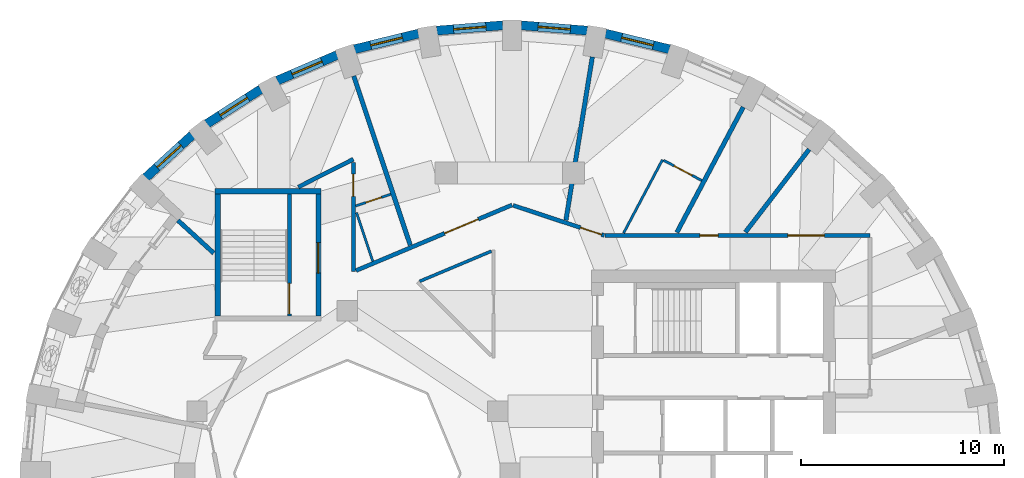
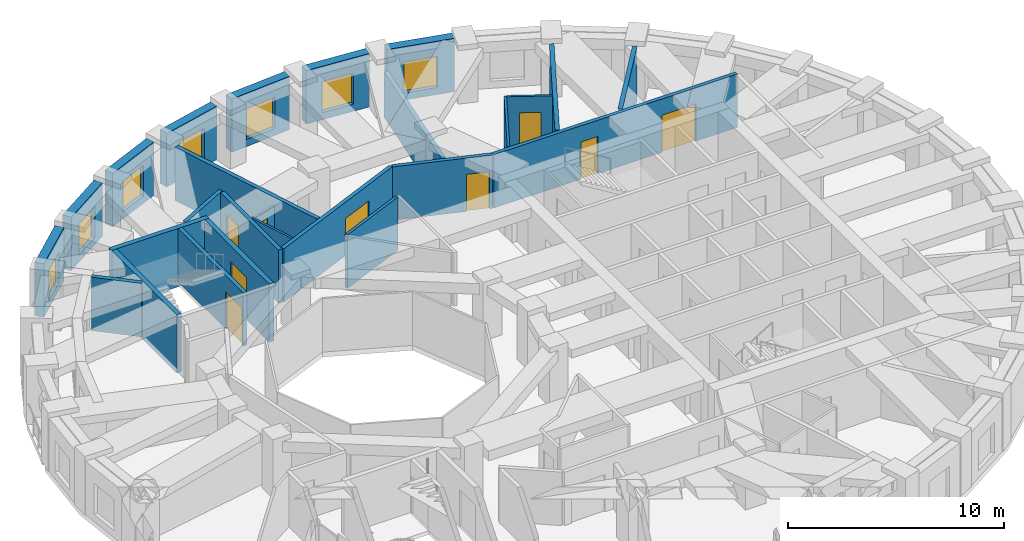
# One storey, part 7 of 11: 26 walls, 9 doors, 7 windows, 16 openings.
"""IFC4 building model written with IfcOpenShell, lengths in metres."""

from ifc_helpers import new_model, si_unit, direction, frame, frame_2d, origin, place, context, subcontext, project, spatial, rectangle, extrude, material, layer, layer_set, type_object, element, fill, save


model = new_model("IFC4")

# Units and contexts
model_context = context("Model", 3, precision=1e-05, world=origin(), true_north=direction((0.0, 1.0)))
body_context = subcontext(model_context, "Body", "Model", "MODEL_VIEW")
ifc_project = project(units=[si_unit("LENGTHUNIT", "METRE"), si_unit("AREAUNIT", "SQUARE_METRE"), si_unit("VOLUMEUNIT", "CUBIC_METRE"), si_unit("PLANEANGLEUNIT", "RADIAN"), si_unit("MASSUNIT", "GRAM", prefix="KILO")], contexts=[model_context])

# Site, building, storey
site_placement = place(None, origin())
site = spatial("IfcSite", under=ifc_project, at=site_placement, CompositionType="ELEMENT")
building_placement = place(site_placement, origin())
building = spatial("IfcBuilding", under=site, at=building_placement, Name="Taillehof Tower", CompositionType="ELEMENT")
storey_placement = place(building_placement, frame((0.0, 0.0, 155.0)))
storey = spatial("IfcBuildingStorey", under=building, at=storey_placement, Name="L43", CompositionType="ELEMENT", Elevation=155.0)

# Wall, opening, window
ifc_material_1 = material(Name="Brick masonry", Category="masonry")
ifc_layer_1 = layer(ifc_material_1, 0.449951171875)
ifc_layer_set_1 = layer_set([ifc_layer_1], Name="Brick infill wall 450")
wall_type_1 = type_object("IfcWallType", Name="Brick infill wall 450", PredefinedType="SOLIDWALL", material=ifc_layer_set_1)
wall_1_placement = place(storey_placement, frame((7.843017578125, 20.8623046875, 0.0), z_axis=(0.0, 0.0, 1.0), x_axis=(-0.971237178372, 0.238114139328, 0.0)))
wall_1 = element("IfcWall", 1, at=wall_1_placement, inside=storey, type_object=wall_type_1, Name="Brick wall L43 bay 8", PredefinedType="SOLIDWALL", context=body_context, shape_type="SweptSolid", body=[
    extrude(rectangle(XDim=3.23681640625, YDim=0.449951171875, at=frame_2d((1.618408203125, 0.0))), origin(), (0.0, 0.0, 1.0), 3.02001953125),
])
opening_1_placement = place(wall_1_placement, frame((0.818359375, 0.0, 0.39990234375)))
opening_1 = element("IfcOpeningElement", 2, at=opening_1_placement, cuts=wall_1, Name="Opening W3", PredefinedType="OPENING", context=body_context, shape_type="SweptSolid", body=[
    extrude(rectangle(XDim=1.60009765625, YDim=1.75, at=frame_2d((0.800048828125, 0.875))), frame((0.0, 0.23486328125, 0.0), z_axis=(0.0, -1.0, 0.0), x_axis=(1.0, 0.0, 0.0)), (0.0, 0.0, 1.0), 0.469970703125),
])
ifc_material_2 = material(Name="Aluminium window frame with clear double glazing", Category="aluminium")
window_type = type_object("IfcWindowType", Name="Deep-set window 1600x1750", PartitioningType="SINGLE_PANEL", PredefinedType="WINDOW", material=ifc_material_2)
window_1_placement = place(opening_1_placement, origin())
window_1 = element("IfcWindow", 3, at=window_1_placement, inside=storey, type_object=window_type, Name="W3", OverallHeight=1.75, OverallWidth=1.60009765625, PartitioningType="SINGLE_PANEL", PredefinedType="WINDOW", context=body_context, shape_type="SweptSolid", body=[
    extrude(rectangle(XDim=1.60009765625, YDim=1.75, at=frame_2d((0.800048828125, 0.875))), frame((0.0, 0.034912109375, 0.0), z_axis=(0.0, -1.0, 0.0), x_axis=(1.0, 0.0, 0.0)), (0.0, 0.0, 1.0), 0.06005859375),
])
fill(opening_1, window_1)

wall_2_placement = place(storey_placement, frame((3.80078125, 21.778076171875, 0.0), z_axis=(0.0, 0.0, 1.0), x_axis=(-0.996812416891, 0.079780984773, 0.0)))
wall_2 = element("IfcWall", 4, at=wall_2_placement, inside=storey, type_object=wall_type_1, Name="Brick wall L43 bay 9", PredefinedType="SOLIDWALL", context=body_context, shape_type="SweptSolid", body=[
    extrude(rectangle(XDim=3.256103515625, YDim=0.449951171875, at=frame_2d((1.6279296875, 0.0))), origin(), (0.0, 0.0, 1.0), 3.02001953125),
])
opening_2_placement = place(wall_2_placement, frame((0.827880859375, 0.0, 0.39990234375)))
opening_2 = element("IfcOpeningElement", 5, at=opening_2_placement, cuts=wall_2, Name="Opening W3", PredefinedType="OPENING", context=body_context, shape_type="SweptSolid", body=[
    extrude(rectangle(XDim=1.60009765625, YDim=1.75, at=frame_2d((0.800048828125, 0.875))), frame((0.0, 0.23486328125, 0.0), z_axis=(0.0, -1.0, 0.0), x_axis=(1.0, 0.0, 0.0)), (0.0, 0.0, 1.0), 0.469970703125),
])
window_2_placement = place(opening_2_placement, origin())
window_2 = element("IfcWindow", 6, at=window_2_placement, inside=storey, type_object=window_type, Name="W3", OverallHeight=1.75, OverallWidth=1.60009765625, PartitioningType="SINGLE_PANEL", PredefinedType="WINDOW", context=body_context, shape_type="SweptSolid", body=[
    extrude(rectangle(XDim=1.60009765625, YDim=1.75, at=frame_2d((0.800048828125, 0.875))), frame((0.0, 0.034912109375, 0.0), z_axis=(0.0, -1.0, 0.0), x_axis=(1.0, 0.0, 0.0)), (0.0, 0.0, 1.0), 0.06005859375),
])
fill(opening_2, window_2)

wall_3_placement = place(storey_placement, frame((-0.35498046875, 22.037841796875, 0.0), z_axis=(0.0, 0.0, 1.0), x_axis=(-0.996812416891, -0.079780984773, 0.0)))
wall_3 = element("IfcWall", 7, at=wall_3_placement, inside=storey, type_object=wall_type_1, Name="Brick wall L43 bay 10", PredefinedType="SOLIDWALL", context=body_context, shape_type="SweptSolid", body=[
    extrude(rectangle(XDim=3.256103515625, YDim=0.449951171875, at=frame_2d((1.6279296875, 0.0))), origin(), (0.0, 0.0, 1.0), 3.02001953125),
])
opening_3_placement = place(wall_3_placement, frame((0.827880859375, 0.0, 0.39990234375)))
opening_3 = element("IfcOpeningElement", 8, at=opening_3_placement, cuts=wall_3, Name="Opening W3", PredefinedType="OPENING", context=body_context, shape_type="SweptSolid", body=[
    extrude(rectangle(XDim=1.60009765625, YDim=1.75, at=frame_2d((0.800048828125, 0.875))), frame((0.0, 0.23486328125, 0.0), z_axis=(0.0, -1.0, 0.0), x_axis=(1.0, 0.0, 0.0)), (0.0, 0.0, 1.0), 0.469970703125),
])
window_3_placement = place(opening_3_placement, origin())
window_3 = element("IfcWindow", 9, at=window_3_placement, inside=storey, type_object=window_type, Name="W3", OverallHeight=1.75, OverallWidth=1.60009765625, PartitioningType="SINGLE_PANEL", PredefinedType="WINDOW", context=body_context, shape_type="SweptSolid", body=[
    extrude(rectangle(XDim=1.60009765625, YDim=1.75, at=frame_2d((0.800048828125, 0.875))), frame((0.0, 0.034912109375, 0.0), z_axis=(0.0, -1.0, 0.0), x_axis=(1.0, 0.0, 0.0)), (0.0, 0.0, 1.0), 0.06005859375),
])
fill(opening_3, window_3)

wall_4_placement = place(storey_placement, frame((-4.499267578125, 21.633056640625, 0.0), z_axis=(0.0, 0.0, 1.0), x_axis=(-0.971232901476, -0.238131583563, 0.0)))
wall_4 = element("IfcWall", 10, at=wall_4_placement, inside=storey, type_object=wall_type_1, Name="Brick wall L43 bay 11", PredefinedType="SOLIDWALL", context=body_context, shape_type="SweptSolid", body=[
    extrude(rectangle(XDim=3.236572265625, YDim=0.449951171875, at=frame_2d((1.6181640625, 0.0))), origin(), (0.0, 0.0, 1.0), 3.02001953125),
])
opening_4_placement = place(wall_4_placement, frame((0.818359375, 0.0, 0.39990234375)))
opening_4 = element("IfcOpeningElement", 11, at=opening_4_placement, cuts=wall_4, Name="Opening W3", PredefinedType="OPENING", context=body_context, shape_type="SweptSolid", body=[
    extrude(rectangle(XDim=1.60009765625, YDim=1.75, at=frame_2d((0.800048828125, 0.875))), frame((0.0, 0.23486328125, 0.0), z_axis=(0.0, -1.0, 0.0), x_axis=(1.0, 0.0, 0.0)), (0.0, 0.0, 1.0), 0.469970703125),
])
window_4_placement = place(opening_4_placement, origin())
window_4 = element("IfcWindow", 12, at=window_4_placement, inside=storey, type_object=window_type, Name="W3", OverallHeight=1.75, OverallWidth=1.60009765625, PartitioningType="SINGLE_PANEL", PredefinedType="WINDOW", context=body_context, shape_type="SweptSolid", body=[
    extrude(rectangle(XDim=1.60009765625, YDim=1.75, at=frame_2d((0.800048828125, 0.875))), frame((0.0, 0.034912109375, 0.0), z_axis=(0.0, -1.0, 0.0), x_axis=(1.0, 0.0, 0.0)), (0.0, 0.0, 1.0), 0.06005859375),
])
fill(opening_4, window_4)

wall_5_placement = place(storey_placement, frame((-8.50634765625, 20.574462890625, 0.0), z_axis=(0.0, 0.0, 1.0), x_axis=(-0.919798725687, -0.392390499663, 0.0)))
wall_5 = element("IfcWall", 13, at=wall_5_placement, inside=storey, type_object=wall_type_1, Name="Brick wall L43 bay 12", PredefinedType="SOLIDWALL", context=body_context, shape_type="SweptSolid", body=[
    extrude(rectangle(XDim=3.200439453125, YDim=0.449951171875, at=frame_2d((1.60009765625, 0.0))), origin(), (0.0, 0.0, 1.0), 3.02001953125),
])
opening_5_placement = place(wall_5_placement, frame((0.80029296875, 0.0, 0.39990234375)))
opening_5 = element("IfcOpeningElement", 14, at=opening_5_placement, cuts=wall_5, Name="Opening W3", PredefinedType="OPENING", context=body_context, shape_type="SweptSolid", body=[
    extrude(rectangle(XDim=1.60009765625, YDim=1.75, at=frame_2d((0.800048828125, 0.875))), frame((0.0, 0.23486328125, 0.0), z_axis=(0.0, -1.0, 0.0), x_axis=(1.0, 0.0, 0.0)), (0.0, 0.0, 1.0), 0.469970703125),
])
window_5_placement = place(opening_5_placement, origin())
window_5 = element("IfcWindow", 15, at=window_5_placement, inside=storey, type_object=window_type, Name="W3", OverallHeight=1.75, OverallWidth=1.60009765625, PartitioningType="SINGLE_PANEL", PredefinedType="WINDOW", context=body_context, shape_type="SweptSolid", body=[
    extrude(rectangle(XDim=1.60009765625, YDim=1.75, at=frame_2d((0.800048828125, 0.875))), frame((0.0, 0.034912109375, 0.0), z_axis=(0.0, -1.0, 0.0), x_axis=(1.0, 0.0, 0.0)), (0.0, 0.0, 1.0), 0.06005859375),
])
fill(opening_5, window_5)

wall_6_placement = place(storey_placement, frame((-12.2548828125, 18.893310546875, 0.0), z_axis=(0.0, 0.0, 1.0), x_axis=(-0.842030726237, -0.539429565442, 0.0)))
wall_6 = element("IfcWall", 16, at=wall_6_placement, inside=storey, type_object=wall_type_1, Name="Brick wall L43 bay 13", PredefinedType="SOLIDWALL", context=body_context, shape_type="SweptSolid", body=[
    extrude(rectangle(XDim=3.1513671875, YDim=0.449951171875, at=frame_2d((1.57568359375, 0.0))), origin(), (0.0, 0.0, 1.0), 3.02001953125),
])
opening_6_placement = place(wall_6_placement, frame((0.775634765625, 0.0, 0.39990234375)))
opening_6 = element("IfcOpeningElement", 17, at=opening_6_placement, cuts=wall_6, Name="Opening W3", PredefinedType="OPENING", context=body_context, shape_type="SweptSolid", body=[
    extrude(rectangle(XDim=1.60009765625, YDim=1.75, at=frame_2d((0.800048828125, 0.875))), frame((0.0, 0.23486328125, 0.0), z_axis=(0.0, -1.0, 0.0), x_axis=(1.0, 0.0, 0.0)), (0.0, 0.0, 1.0), 0.469970703125),
])
window_6_placement = place(opening_6_placement, origin())
window_6 = element("IfcWindow", 18, at=window_6_placement, inside=storey, type_object=window_type, Name="W3", OverallHeight=1.75, OverallWidth=1.60009765625, PartitioningType="SINGLE_PANEL", PredefinedType="WINDOW", context=body_context, shape_type="SweptSolid", body=[
    extrude(rectangle(XDim=1.60009765625, YDim=1.75, at=frame_2d((0.800048828125, 0.875))), frame((0.0, 0.034912109375, 0.0), z_axis=(0.0, -1.0, 0.0), x_axis=(1.0, 0.0, 0.0)), (0.0, 0.0, 1.0), 0.06005859375),
])
fill(opening_6, window_6)

wall_7_placement = place(storey_placement, frame((-15.630126953125, 16.638671875, 0.0), z_axis=(0.0, 0.0, 1.0), x_axis=(-0.737808755941, -0.675009807082, 0.0)))
wall_7 = element("IfcWall", 19, at=wall_7_placement, inside=storey, type_object=wall_type_1, Name="Brick wall L43 bay 14", PredefinedType="SOLIDWALL", context=body_context, shape_type="SweptSolid", body=[
    extrude(rectangle(XDim=3.094482421875, YDim=0.449951171875, at=frame_2d((1.54736328125, 0.0))), origin(), (0.0, 0.0, 1.0), 3.02001953125),
])
opening_7_placement = place(wall_7_placement, frame((0.747314453125, 0.0, 0.39990234375)))
opening_7 = element("IfcOpeningElement", 20, at=opening_7_placement, cuts=wall_7, Name="Opening W3", PredefinedType="OPENING", context=body_context, shape_type="SweptSolid", body=[
    extrude(rectangle(XDim=1.60009765625, YDim=1.75, at=frame_2d((0.800048828125, 0.875))), frame((0.0, 0.23486328125, 0.0), z_axis=(0.0, -1.0, 0.0), x_axis=(1.0, 0.0, 0.0)), (0.0, 0.0, 1.0), 0.469970703125),
])
window_7_placement = place(opening_7_placement, origin())
window_7 = element("IfcWindow", 21, at=window_7_placement, inside=storey, type_object=window_type, Name="W3", OverallHeight=1.75, OverallWidth=1.60009765625, PartitioningType="SINGLE_PANEL", PredefinedType="WINDOW", context=body_context, shape_type="SweptSolid", body=[
    extrude(rectangle(XDim=1.60009765625, YDim=1.75, at=frame_2d((0.800048828125, 0.875))), frame((0.0, 0.034912109375, 0.0), z_axis=(0.0, -1.0, 0.0), x_axis=(1.0, 0.0, 0.0)), (0.0, 0.0, 1.0), 0.06005859375),
])
fill(opening_7, window_7)

# Wall
ifc_material_3 = material(Name="Gypsum board on steel studs, two layers each side", Category="steel")
ifc_layer_2 = layer(ifc_material_3, 0.199951171875)
ifc_layer_set_2 = layer_set([ifc_layer_2], Name="Compartment wall corridor 200")
wall_type_2 = type_object("IfcWallType", Name="Compartment wall corridor 200", PredefinedType="PARTITIONING", material=ifc_layer_set_2)
wall_8_placement = place(storey_placement, frame((-10.416259765625, 14.08154296875, 0.0), z_axis=(0.0, 0.0, 1.0), x_axis=(0.892396808139, 0.451251522793, 0.0)))
element("IfcWall", 22, at=wall_8_placement, inside=storey, type_object=wall_type_2, Name="Compartment wall", PredefinedType="PARTITIONING", context=body_context, shape_type="SweptSolid", body=[
    extrude(rectangle(XDim=3.0439453125, YDim=0.199951171875, at=frame_2d((1.52197265625, 0.0))), origin(), (0.0, 0.0, 1.0), 3.02001953125),
])

# Wall, opening, door
wall_9_placement = place(storey_placement, frame((-7.699951171875, 15.294921875, 0.0), z_axis=(0.0, 0.0, 1.0), x_axis=(0.0, -1.0, 0.0)))
wall_9 = element("IfcWall", 23, at=wall_9_placement, inside=storey, type_object=wall_type_2, Name="Compartment wall", PredefinedType="PARTITIONING", context=body_context, shape_type="SweptSolid", body=[
    extrude(rectangle(XDim=5.375, YDim=0.199951171875, at=frame_2d((2.6875, 0.0))), origin(), (0.0, 0.0, 1.0), 3.02001953125),
])
opening_8_placement = place(wall_9_placement, frame((0.5703125, 0.0, 0.0)))
opening_8 = element("IfcOpeningElement", 24, at=opening_8_placement, cuts=wall_9, Name="Opening D4344", PredefinedType="OPENING", context=body_context, shape_type="SweptSolid", body=[
    extrude(rectangle(XDim=1.10009765625, YDim=2.10009765625, at=frame_2d((0.550048828125, 1.050048828125))), frame((0.0, 0.10986328125, 0.0), z_axis=(0.0, -1.0, 0.0), x_axis=(1.0, 0.0, 0.0)), (0.0, 0.0, 1.0), 0.219970703125),
])
ifc_material_4 = material(Name="Timber door leaf in steel frame", Category="steel")
door_type_1 = type_object("IfcDoorType", Name="Suite entrance door EI 30 1100 x 2100", OperationType="SINGLE_SWING_LEFT", PredefinedType="DOOR", material=ifc_material_4)
door_1_placement = place(opening_8_placement, origin())
door_1 = element("IfcDoor", 25, at=door_1_placement, inside=storey, type_object=door_type_1, Name="D4344", OperationType="SINGLE_SWING_RIGHT", OverallHeight=2.10009765625, OverallWidth=1.10009765625, PredefinedType="DOOR", context=body_context, shape_type="SweptSolid", body=[
    extrude(rectangle(XDim=1.10009765625, YDim=2.10009765625, at=frame_2d((0.550048828125, 1.050048828125))), frame((0.0, 0.02490234375, 0.0), z_axis=(0.0, -1.0, 0.0), x_axis=(1.0, 0.0, 0.0)), (0.0, 0.0, 1.0), 0.050048828125),
])
fill(opening_8, door_1)

wall_10_placement = place(storey_placement, frame((-7.570068359375, 9.974609375, 0.0), z_axis=(0.0, 0.0, 1.0), x_axis=(0.921815879705, 0.387628022624, 0.0)))
wall_10 = element("IfcWall", 26, at=wall_10_placement, inside=storey, type_object=wall_type_2, Name="Compartment wall", PredefinedType="PARTITIONING", context=body_context, shape_type="SweptSolid", body=[
    extrude(rectangle(XDim=8.32080078125, YDim=0.199951171875, at=frame_2d((4.160400390625, 0.0))), origin(), (0.0, 0.0, 1.0), 3.02001953125),
])
opening_9_placement = place(wall_10_placement, frame((4.721435546875, 0.0, 0.0)))
opening_9 = element("IfcOpeningElement", 27, at=opening_9_placement, cuts=wall_10, Name="Opening D4343", PredefinedType="OPENING", context=body_context, shape_type="SweptSolid", body=[
    extrude(rectangle(XDim=1.800048828125, YDim=2.10009765625, at=frame_2d((0.89990234375, 1.050048828125))), frame((0.0, 0.10986328125, 0.0), z_axis=(0.0, -1.0, 0.0), x_axis=(1.0, 0.0, 0.0)), (0.0, 0.0, 1.0), 0.219970703125),
])
ifc_material_5 = material(Name="Timber door leaf in steel frame", Category="steel")
door_type_2 = type_object("IfcDoorType", Name="Lounge and meeting room double door EI 30 1800 x 2100", OperationType="SINGLE_SWING_LEFT", PredefinedType="DOOR", material=ifc_material_5)
door_2_placement = place(opening_9_placement, origin())
door_2 = element("IfcDoor", 28, at=door_2_placement, inside=storey, type_object=door_type_2, Name="D4343", OperationType="DOUBLE_DOOR_SINGLE_SWING", OverallHeight=2.10009765625, OverallWidth=1.800048828125, PredefinedType="DOOR", context=body_context, shape_type="SweptSolid", body=[
    extrude(rectangle(XDim=1.800048828125, YDim=2.10009765625, at=frame_2d((0.89990234375, 1.050048828125))), frame((0.0, 0.02490234375, 0.0), z_axis=(0.0, -1.0, 0.0), x_axis=(1.0, 0.0, 0.0)), (0.0, 0.0, 1.0), 0.050048828125),
])
fill(opening_9, door_2)

wall_11_placement = place(storey_placement, frame((0.1572265625, 13.180908203125, 0.0), z_axis=(0.0, 0.0, 1.0), x_axis=(0.949543217684, -0.313636218811, 0.0)))
wall_11 = element("IfcWall", 29, at=wall_11_placement, inside=storey, type_object=wall_type_2, Name="Compartment wall", PredefinedType="PARTITIONING", context=body_context, shape_type="SweptSolid", body=[
    extrude(rectangle(XDim=4.721923828125, YDim=0.199951171875, at=frame_2d((2.36083984375, 0.0))), origin(), (0.0, 0.0, 1.0), 3.02001953125),
])
opening_10_placement = place(wall_11_placement, frame((3.48193359375, 0.0, 0.0)))
opening_10 = element("IfcOpeningElement", 30, at=opening_10_placement, cuts=wall_11, Name="Opening D4341", PredefinedType="OPENING", context=body_context, shape_type="SweptSolid", body=[
    extrude(rectangle(XDim=1.10009765625, YDim=2.10009765625, at=frame_2d((0.550048828125, 1.050048828125))), frame((0.0, 0.10986328125, 0.0), z_axis=(0.0, -1.0, 0.0), x_axis=(1.0, 0.0, 0.0)), (0.0, 0.0, 1.0), 0.219970703125),
])
ifc_material_6 = material(Name="Timber door leaf in steel frame", Category="steel")
door_type_3 = type_object("IfcDoorType", Name="Accessible guest room door EI 30 1100 x 2100", OperationType="SINGLE_SWING_LEFT", PredefinedType="DOOR", material=ifc_material_6)
door_3_placement = place(opening_10_placement, origin())
door_3 = element("IfcDoor", 31, at=door_3_placement, inside=storey, type_object=door_type_3, Name="D4341", OperationType="SINGLE_SWING_RIGHT", OverallHeight=2.10009765625, OverallWidth=1.10009765625, PredefinedType="DOOR", context=body_context, shape_type="SweptSolid", body=[
    extrude(rectangle(XDim=1.10009765625, YDim=2.10009765625, at=frame_2d((0.550048828125, 1.050048828125))), frame((0.0, 0.02490234375, 0.0), z_axis=(0.0, -1.0, 0.0), x_axis=(1.0, 0.0, 0.0)), (0.0, 0.0, 1.0), 0.050048828125),
])
fill(opening_10, door_3)

# Wall, openings, doors
wall_12_placement = place(storey_placement, frame((4.680908203125, 11.699951171875, 0.0), z_axis=(0.0, 0.0, 1.0), x_axis=(1.0, 0.0, 0.0)))
wall_12 = element("IfcWall", 32, at=wall_12_placement, inside=storey, type_object=wall_type_2, Name="Compartment wall", PredefinedType="PARTITIONING", context=body_context, shape_type="SweptSolid", body=[
    extrude(rectangle(XDim=13.01904296875, YDim=0.199951171875, at=frame_2d((6.509521484375, 0.0))), origin(), (0.0, 0.0, 1.0), 3.02001953125),
])
opening_11_placement = place(wall_12_placement, frame((4.661865234375, 0.0, 0.0)))
opening_11 = element("IfcOpeningElement", 33, at=opening_11_placement, cuts=wall_12, Name="Opening D4340", PredefinedType="OPENING", context=body_context, shape_type="SweptSolid", body=[
    extrude(rectangle(XDim=0.89990234375, YDim=2.10009765625, at=frame_2d((0.449951171875, 1.050048828125))), frame((0.0, 0.10986328125, 0.0), z_axis=(0.0, -1.0, 0.0), x_axis=(1.0, 0.0, 0.0)), (0.0, 0.0, 1.0), 0.219970703125),
])
opening_12_placement = place(wall_12_placement, frame((8.98974609375, 0.0, 0.0)))
opening_12 = element("IfcOpeningElement", 34, at=opening_12_placement, cuts=wall_12, Name="Opening D4358", PredefinedType="OPENING", context=body_context, shape_type="SweptSolid", body=[
    extrude(rectangle(XDim=1.800048828125, YDim=2.10009765625, at=frame_2d((0.89990234375, 1.050048828125))), frame((0.0, 0.10986328125, 0.0), z_axis=(0.0, -1.0, 0.0), x_axis=(1.0, 0.0, 0.0)), (0.0, 0.0, 1.0), 0.219970703125),
])
door_4_placement = place(opening_12_placement, origin())
door_4 = element("IfcDoor", 35, at=door_4_placement, inside=storey, type_object=door_type_2, Name="D4358", OperationType="DOUBLE_DOOR_SINGLE_SWING", OverallHeight=2.10009765625, OverallWidth=1.800048828125, PredefinedType="DOOR", context=body_context, shape_type="SweptSolid", body=[
    extrude(rectangle(XDim=1.800048828125, YDim=2.10009765625, at=frame_2d((0.89990234375, 1.050048828125))), frame((0.0, 0.02490234375, 0.0), z_axis=(0.0, -1.0, 0.0), x_axis=(1.0, 0.0, 0.0)), (0.0, 0.0, 1.0), 0.050048828125),
])
fill(opening_12, door_4)
ifc_material_7 = material(Name="Timber door leaf in steel frame", Category="steel")
door_type_4 = type_object("IfcDoorType", Name="Service room door EI 30 900 x 2100", OperationType="SINGLE_SWING_LEFT", PredefinedType="DOOR", material=ifc_material_7)
door_5_placement = place(opening_11_placement, origin())
door_5 = element("IfcDoor", 36, at=door_5_placement, inside=storey, type_object=door_type_4, Name="D4340", OperationType="SINGLE_SWING_LEFT", OverallHeight=2.10009765625, OverallWidth=0.89990234375, PredefinedType="DOOR", context=body_context, shape_type="SweptSolid", body=[
    extrude(rectangle(XDim=0.89990234375, YDim=2.10009765625, at=frame_2d((0.449951171875, 1.050048828125))), frame((0.0, 0.02490234375, 0.0), z_axis=(0.0, -1.0, 0.0), x_axis=(1.0, 0.0, 0.0)), (0.0, 0.0, 1.0), 0.050048828125),
])
fill(opening_11, door_5)

# Walls
ifc_material_8 = material(Name="Gypsum board on double steel studs with mineral wool", Category="steel")
ifc_layer_3 = layer(ifc_material_8, 0.219970703125)
ifc_layer_set_3 = layer_set([ifc_layer_3], Name="Compartment wall guest room 220")
wall_type_3 = type_object("IfcWallType", Name="Compartment wall guest room 220", PredefinedType="PARTITIONING", material=ifc_layer_set_3)
wall_13_placement = place(storey_placement, frame((14.7158203125, 15.937255859375, 0.0), z_axis=(0.0, 0.0, 1.0), x_axis=(-0.609997597499, -0.792403262894, 0.0)))
element("IfcWall", 37, at=wall_13_placement, inside=storey, type_object=wall_type_3, Name="Compartment wall", PredefinedType="PARTITIONING", context=body_context, shape_type="SweptSolid", body=[
    extrude(rectangle(XDim=5.140869140625, YDim=0.219970703125, at=frame_2d((2.5703125, 0.0))), origin(), (0.0, 0.0, 1.0), 3.02001953125),
])
wall_14_placement = place(storey_placement, frame((11.473876953125, 18.013427734375, 0.0), z_axis=(0.0, 0.0, 1.0), x_axis=(-0.468047008097, -0.883703569197, 0.0)))
element("IfcWall", 38, at=wall_14_placement, inside=storey, type_object=wall_type_3, Name="Compartment wall", PredefinedType="PARTITIONING", context=body_context, shape_type="SweptSolid", body=[
    extrude(rectangle(XDim=6.971435546875, YDim=0.219970703125, at=frame_2d((3.48583984375, 0.0))), origin(), (0.0, 0.0, 1.0), 3.02001953125),
])
wall_15_placement = place(storey_placement, frame((4.05224609375, 20.483642578125, 0.0), z_axis=(0.0, 0.0, 1.0), x_axis=(-0.159683255106, -0.987168302793, 0.0)))
element("IfcWall", 39, at=wall_15_placement, inside=storey, type_object=wall_type_3, Name="Compartment wall", PredefinedType="PARTITIONING", context=body_context, shape_type="SweptSolid", body=[
    extrude(rectangle(XDim=8.138427734375, YDim=0.219970703125, at=frame_2d((4.0693359375, 0.0))), origin(), (0.0, 0.0, 1.0), 2.570068359375),
])
wall_16_placement = place(storey_placement, frame((-7.682861328125, 19.544921875, 0.0), z_axis=(0.0, 0.0, 1.0), x_axis=(0.316703700313, -0.948524520615, 0.0)))
element("IfcWall", 40, at=wall_16_placement, inside=storey, type_object=wall_type_3, Name="Compartment wall", PredefinedType="PARTITIONING", context=body_context, shape_type="SweptSolid", body=[
    extrude(rectangle(XDim=8.77099609375, YDim=0.219970703125, at=frame_2d((4.385498046875, 0.0))), origin(), (0.0, 0.0, 1.0), 3.02001953125),
])
wall_17_placement = place(storey_placement, frame((-16.333984375, 12.445068359375, 0.0), z_axis=(0.0, 0.0, 1.0), x_axis=(0.737857346278, -0.674956692347, 0.0)))
element("IfcWall", 41, at=wall_17_placement, inside=storey, type_object=wall_type_3, Name="Compartment wall", PredefinedType="PARTITIONING", context=body_context, shape_type="SweptSolid", body=[
    extrude(rectangle(XDim=2.390869140625, YDim=0.219970703125, at=frame_2d((1.1953125, 0.0))), origin(), (0.0, 0.0, 1.0), 3.02001953125),
])
ifc_material_9 = material(Name="Gypsum board on steel studs, two layers each side", Category="steel")
ifc_layer_4 = layer(ifc_material_9, 0.14990234375)
ifc_layer_set_4 = layer_set([ifc_layer_4], Name="Compartment wall service room 150")
wall_type_4 = type_object("IfcWallType", Name="Compartment wall service room 150", PredefinedType="PARTITIONING", material=ifc_layer_set_4)
wall_18_placement = place(storey_placement, frame((-4.44384765625, 9.445068359375, 0.0), z_axis=(0.0, 0.0, 1.0), x_axis=(0.921822351054, 0.387612632788, 0.0)))
element("IfcWall", 42, at=wall_18_placement, inside=storey, type_object=wall_type_4, Name="Compartment wall", PredefinedType="PARTITIONING", context=body_context, shape_type="SweptSolid", body=[
    extrude(rectangle(XDim=3.83203125, YDim=0.14990234375, at=frame_2d((1.916015625, 0.0))), origin(), (0.0, 0.0, 1.0), 3.02001953125),
])
ifc_material_10 = material(Name="Gypsum board on steel studs, moisture resistant", Category="steel")
ifc_layer_5 = layer(ifc_material_10, 0.1201171875)
ifc_layer_set_5 = layer_set([ifc_layer_5], Name="En-suite wall 120")
wall_type_5 = type_object("IfcWallType", Name="En-suite wall 120", PredefinedType="PARTITIONING", material=ifc_layer_set_5)
wall_19_placement = place(storey_placement, frame((5.589599609375, 11.817626953125, 0.0), z_axis=(0.0, 0.0, 1.0), x_axis=(0.468055206857, 0.883699226736, 0.0)))
element("IfcWall", 43, at=wall_19_placement, inside=storey, type_object=wall_type_5, Name="En-suite wall", PredefinedType="PARTITIONING", context=body_context, shape_type="SweptSolid", body=[
    extrude(rectangle(XDim=4.085205078125, YDim=0.1201171875, at=frame_2d((2.04248046875, 0.0))), origin(), (0.0, 0.0, 1.0), 3.02001953125),
])
wall_20_placement = place(storey_placement, frame((-6.74755859375, 10.428955078125, 0.0), z_axis=(0.0, 0.0, 1.0), x_axis=(-0.316690754737, 0.948528842927, 0.0)))
element("IfcWall", 44, at=wall_20_placement, inside=storey, type_object=wall_type_5, Name="En-suite wall", PredefinedType="PARTITIONING", context=body_context, shape_type="SweptSolid", body=[
    extrude(rectangle(XDim=2.531005859375, YDim=0.1201171875, at=frame_2d((1.265625, 0.0))), origin(), (0.0, 0.0, 1.0), 3.02001953125),
])

# Wall, opening, door
wall_21_placement = place(storey_placement, frame((7.5546875, 15.399658203125, 0.0), z_axis=(0.0, 0.0, 1.0), x_axis=(0.883681952223, -0.468087820088, 0.0)))
wall_21 = element("IfcWall", 45, at=wall_21_placement, inside=storey, type_object=wall_type_5, Name="En-suite wall", PredefinedType="PARTITIONING", context=body_context, shape_type="SweptSolid", body=[
    extrude(rectangle(XDim=2.130126953125, YDim=0.1201171875, at=frame_2d((1.06494140625, 0.0))), origin(), (0.0, 0.0, 1.0), 3.02001953125),
])
opening_13_placement = place(wall_21_placement, frame((0.590087890625, 0.0, 0.0)))
opening_13 = element("IfcOpeningElement", 46, at=opening_13_placement, cuts=wall_21, Name="Opening D4342", PredefinedType="OPENING", context=body_context, shape_type="SweptSolid", body=[
    extrude(rectangle(XDim=1.0, YDim=2.10009765625, at=frame_2d((0.5, 1.050048828125))), frame((0.0, 0.070068359375, 0.0), z_axis=(0.0, -1.0, 0.0), x_axis=(1.0, 0.0, 0.0)), (0.0, 0.0, 1.0), 0.14013671875),
])
ifc_material_11 = material(Name="Timber door leaf in steel frame", Category="steel")
door_type_5 = type_object("IfcDoorType", Name="Accessible en-suite door 1000 x 2100", OperationType="SINGLE_SWING_LEFT", PredefinedType="DOOR", material=ifc_material_11)
door_6_placement = place(opening_13_placement, origin())
door_6 = element("IfcDoor", 47, at=door_6_placement, inside=storey, type_object=door_type_5, Name="D4342", OperationType="SINGLE_SWING_RIGHT", OverallHeight=2.10009765625, OverallWidth=1.0, PredefinedType="DOOR", context=body_context, shape_type="SweptSolid", body=[
    extrude(rectangle(XDim=1.0, YDim=2.10009765625, at=frame_2d((0.5, 1.050048828125))), frame((0.0, 0.02490234375, 0.0), z_axis=(0.0, -1.0, 0.0), x_axis=(1.0, 0.0, 0.0)), (0.0, 0.0, 1.0), 0.050048828125),
])
fill(opening_13, door_6)

wall_22_placement = place(storey_placement, frame((-7.59375, 13.15283203125, 0.0), z_axis=(0.0, 0.0, 1.0), x_axis=(0.948563158378, 0.316587957079, 0.0)))
wall_22 = element("IfcWall", 48, at=wall_22_placement, inside=storey, type_object=wall_type_5, Name="En-suite wall", PredefinedType="PARTITIONING", context=body_context, shape_type="SweptSolid", body=[
    extrude(rectangle(XDim=1.830078125, YDim=0.1201171875, at=frame_2d((0.9150390625, 0.0))), origin(), (0.0, 0.0, 1.0), 2.570068359375),
])
opening_14_placement = place(wall_22_placement, frame((0.539794921875, 0.0, 0.0)))
opening_14 = element("IfcOpeningElement", 49, at=opening_14_placement, cuts=wall_22, Name="Opening D4345", PredefinedType="OPENING", context=body_context, shape_type="SweptSolid", body=[
    extrude(rectangle(XDim=0.800048828125, YDim=2.10009765625, at=frame_2d((0.39990234375, 1.050048828125))), frame((0.0, 0.070068359375, 0.0), z_axis=(0.0, -1.0, 0.0), x_axis=(1.0, 0.0, 0.0)), (0.0, 0.0, 1.0), 0.14013671875),
])
ifc_material_12 = material(Name="Timber door leaf in steel frame", Category="steel")
door_type_6 = type_object("IfcDoorType", Name="En-suite door 800 x 2100", OperationType="SINGLE_SWING_LEFT", PredefinedType="DOOR", material=ifc_material_12)
door_7_placement = place(opening_14_placement, origin())
door_7 = element("IfcDoor", 50, at=door_7_placement, inside=storey, type_object=door_type_6, Name="D4345", OperationType="SINGLE_SWING_LEFT", OverallHeight=2.10009765625, OverallWidth=0.800048828125, PredefinedType="DOOR", context=body_context, shape_type="SweptSolid", body=[
    extrude(rectangle(XDim=0.800048828125, YDim=2.10009765625, at=frame_2d((0.39990234375, 1.050048828125))), frame((0.0, 0.02490234375, 0.0), z_axis=(0.0, -1.0, 0.0), x_axis=(1.0, 0.0, 0.0)), (0.0, 0.0, 1.0), 0.050048828125),
])
fill(opening_14, door_7)

ifc_material_13 = material(Name="Concrete C50/60", Category="concrete")
ifc_layer_6 = layer(ifc_material_13, 0.199951171875)
ifc_layer_set_6 = layer_set([ifc_layer_6], Name="Shaft wall C50/60 200")
wall_type_6 = type_object("IfcWallType", Name="Shaft wall C50/60 200", PredefinedType="SHEAR", material=ifc_layer_set_6)
wall_23_placement = place(storey_placement, frame((-10.85009765625, 7.75, 0.0), z_axis=(0.0, 0.0, 1.0), x_axis=(0.0, 1.0, 0.0)))
wall_23 = element("IfcWall", 51, at=wall_23_placement, inside=storey, type_object=wall_type_6, Name="Shaft wall SW", PredefinedType="SHEAR", context=body_context, shape_type="SweptSolid", body=[
    extrude(rectangle(XDim=6.0, YDim=0.199951171875, at=frame_2d((3.0, 0.0))), origin(), (0.0, 0.0, 1.0), 3.02001953125),
])
opening_15_placement = place(wall_23_placement, frame((0.10009765625, 0.0, 0.0)))
opening_15 = element("IfcOpeningElement", 52, at=opening_15_placement, cuts=wall_23, Name="Opening D4312", PredefinedType="OPENING", context=body_context, shape_type="SweptSolid", body=[
    extrude(rectangle(XDim=1.5, YDim=2.10009765625, at=frame_2d((0.75, 1.050048828125))), frame((0.0, 0.10986328125, 0.0), z_axis=(0.0, -1.0, 0.0), x_axis=(1.0, 0.0, 0.0)), (0.0, 0.0, 1.0), 0.219970703125),
])
ifc_material_14 = material(Name="Steel-faced fire door", Category="steel")
door_type_7 = type_object("IfcDoorType", Name="Stair door 1500x2100", OperationType="DOUBLE_DOOR_SINGLE_SWING", PredefinedType="DOOR", material=ifc_material_14)
door_8_placement = place(opening_15_placement, origin())
door_8 = element("IfcDoor", 53, at=door_8_placement, inside=storey, type_object=door_type_7, Name="Stair lobby door S3", OperationType="DOUBLE_DOOR_SINGLE_SWING", OverallHeight=2.10009765625, OverallWidth=1.5, PredefinedType="DOOR", context=body_context, shape_type="SweptSolid", body=[
    extrude(rectangle(XDim=1.5, YDim=2.10009765625, at=frame_2d((0.75, 1.050048828125))), frame((0.0, 0.02490234375, 0.0), z_axis=(0.0, -1.0, 0.0), x_axis=(1.0, 0.0, 0.0)), (0.0, 0.0, 1.0), 0.050048828125),
])
fill(opening_15, door_8)

# Wall
ifc_material_15 = material(Name="Concrete C50/60", Category="concrete")
ifc_layer_7 = layer(ifc_material_15, 0.25)
ifc_layer_set_7 = layer_set([ifc_layer_7], Name="Stair wall C50/60 250")
wall_type_7 = type_object("IfcWallType", Name="Stair wall C50/60 250", PredefinedType="SHEAR", material=ifc_layer_set_7)
wall_24_placement = place(storey_placement, frame((-14.375, 7.75, -0.280029296875), z_axis=(0.0, 0.0, 1.0), x_axis=(0.0, 1.0, 0.0)))
element("IfcWall", 54, at=wall_24_placement, inside=storey, type_object=wall_type_7, Name="Stair wall SC", PredefinedType="SHEAR", context=body_context, shape_type="SweptSolid", body=[
    extrude(rectangle(XDim=6.0, YDim=0.25, at=frame_2d((3.0, 0.0))), origin(), (0.0, 0.0, 1.0), 3.300048828125),
])

# Wall, opening, door
wall_25_placement = place(storey_placement, frame((-9.425048828125, 7.75, -0.280029296875), z_axis=(0.0, 0.0, 1.0), x_axis=(0.0, 1.0, 0.0)))
wall_25 = element("IfcWall", 55, at=wall_25_placement, inside=storey, type_object=wall_type_7, Name="Stair wall SC", PredefinedType="SHEAR", context=body_context, shape_type="SweptSolid", body=[
    extrude(rectangle(XDim=6.0, YDim=0.25, at=frame_2d((3.0, 0.0))), origin(), (0.0, 0.0, 1.0), 3.300048828125),
])
opening_16_placement = place(wall_25_placement, frame((2.10009765625, 0.0, 0.280029296875)))
opening_16 = element("IfcOpeningElement", 56, at=opening_16_placement, cuts=wall_25, Name="Opening D4315", PredefinedType="OPENING", context=body_context, shape_type="SweptSolid", body=[
    extrude(rectangle(XDim=1.5, YDim=2.10009765625, at=frame_2d((0.75, 1.050048828125))), frame((0.0, 0.135009765625, 0.0), z_axis=(0.0, -1.0, 0.0), x_axis=(1.0, 0.0, 0.0)), (0.0, 0.0, 1.0), 0.27001953125),
])
door_9_placement = place(opening_16_placement, origin())
door_9 = element("IfcDoor", 57, at=door_9_placement, inside=storey, type_object=door_type_7, Name="Stair door S3", OperationType="DOUBLE_DOOR_SINGLE_SWING", OverallHeight=2.10009765625, OverallWidth=1.5, PredefinedType="DOOR", context=body_context, shape_type="SweptSolid", body=[
    extrude(rectangle(XDim=1.5, YDim=2.10009765625, at=frame_2d((0.75, 1.050048828125))), frame((0.0, 0.02490234375, 0.0), z_axis=(0.0, -1.0, 0.0), x_axis=(1.0, 0.0, 0.0)), (0.0, 0.0, 1.0), 0.050048828125),
])
fill(opening_16, door_9)

# Wall
wall_26_placement = place(storey_placement, frame((-14.5, 13.875, -0.280029296875), z_axis=(0.0, 0.0, 1.0), x_axis=(1.0, 0.0, 0.0)))
element("IfcWall", 58, at=wall_26_placement, inside=storey, type_object=wall_type_7, Name="Stair wall SC", PredefinedType="SHEAR", context=body_context, shape_type="SweptSolid", body=[
    extrude(rectangle(XDim=5.199951171875, YDim=0.25, at=frame_2d((2.60009765625, 0.0))), origin(), (0.0, 0.0, 1.0), 3.300048828125),
])

save(model, "model.ifc")
